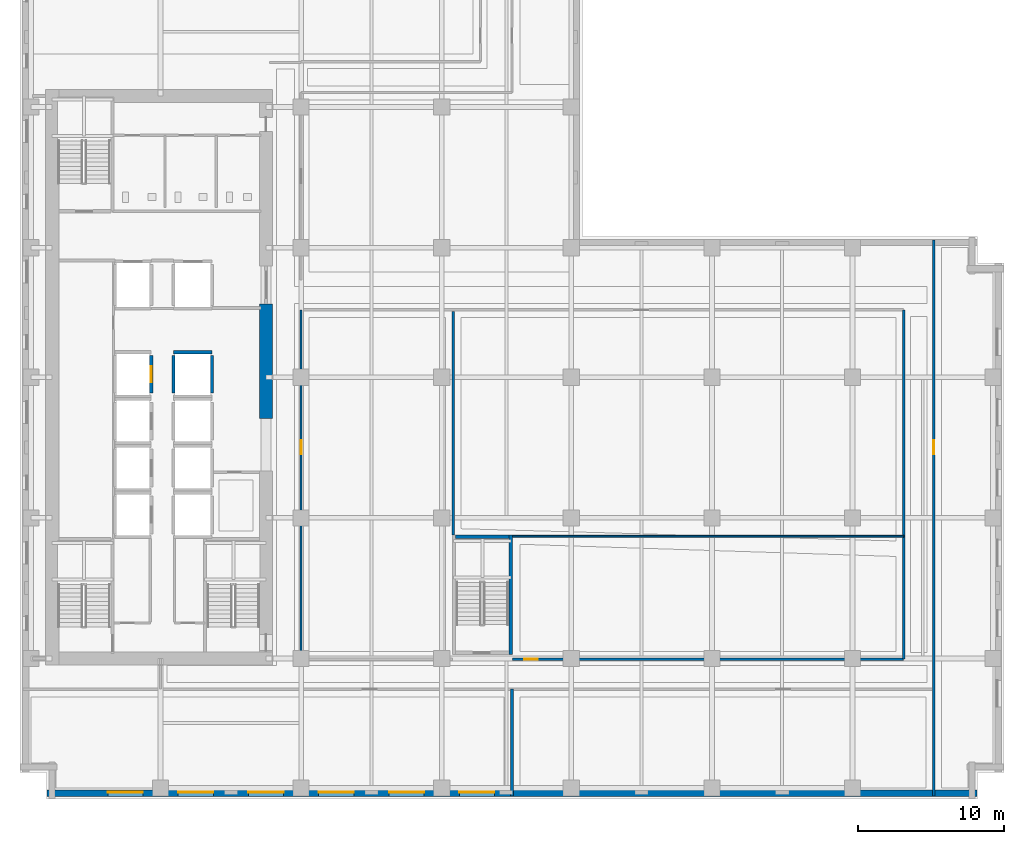
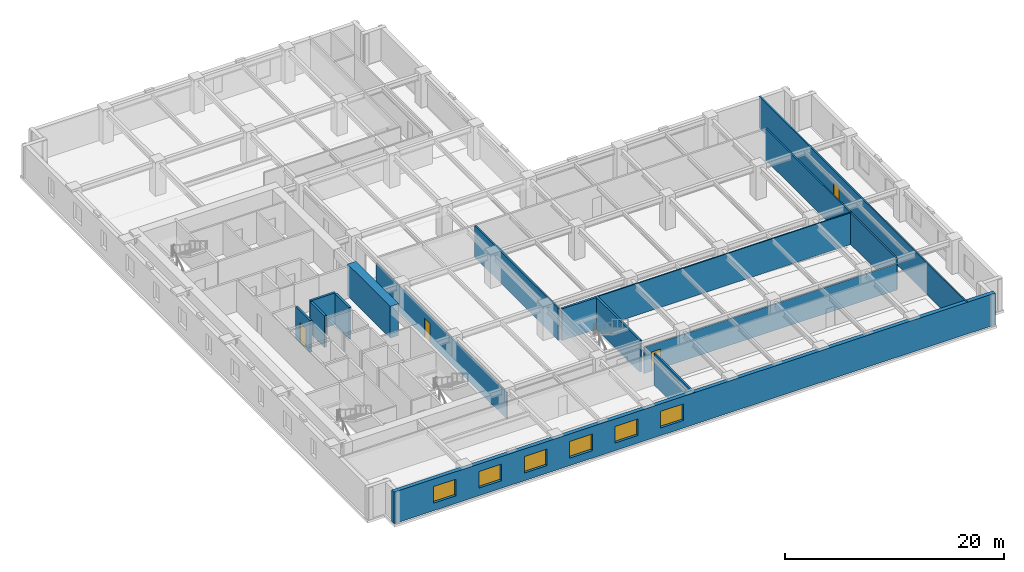
# One storey, part 5 of 15: 15 walls, 6 windows, 4 doors, 10 openings.
"""IFC4 building model written with IfcOpenShell, lengths in metres."""

from ifc_helpers import new_model, si_unit, direction, frame, frame_2d, origin, place, context, subcontext, project, spatial, rectangle, extrude, material, layer, layer_set, type_object, element, fill, save


model = new_model("IFC4")

# Units and contexts
model_context = context("Model", 3, precision=1e-05, world=origin(), true_north=direction((0.0, 1.0)))
body_context = subcontext(model_context, "Body", "Model", "MODEL_VIEW")
ifc_project = project(units=[si_unit("LENGTHUNIT", "METRE"), si_unit("AREAUNIT", "SQUARE_METRE"), si_unit("VOLUMEUNIT", "CUBIC_METRE"), si_unit("PLANEANGLEUNIT", "RADIAN"), si_unit("MASSUNIT", "GRAM", prefix="KILO")], contexts=[model_context])

# Site, building, storey
site_placement = place(None, origin())
site = spatial("IfcSite", under=ifc_project, at=site_placement, CompositionType="ELEMENT")
building_placement = place(site_placement, origin())
building = spatial("IfcBuilding", under=site, at=building_placement, Name="Norrvale University Quadrangle", CompositionType="ELEMENT")
storey_placement = place(building_placement, frame((0.0, 0.0, 88.800048828125)))
storey = spatial("IfcBuildingStorey", under=building, at=storey_placement, Name="L22", CompositionType="ELEMENT", Elevation=88.800048828125)

# Wall, openings, windows
ifc_material_1 = material(Name="Buff Norman Clay Brick Masonry", Category="masonry")
ifc_layer_1 = layer(ifc_material_1, 0.419921875, Name="Buff Norman Clay Brick Masonry")
ifc_layer_set_1 = layer_set([ifc_layer_1], Name="Buff Norman Clay Brick Masonry")
wall_type_1 = type_object("IfcWallType", Name="Wall Buff Brick 420", PredefinedType="SOLIDWALL", material=ifc_layer_set_1)
wall_1_placement = place(storey_placement, frame((1.840087890625, 0.389892578125, 0.0), z_axis=(0.0, 0.0, 1.0), x_axis=(1.0, 0.0, 0.0)))
wall_1 = element("IfcWall", 1, at=wall_1_placement, inside=storey, type_object=wall_type_1, Name="Exterior Brick Facade Wall L22-01.1", PredefinedType="SOLIDWALL", context=body_context, shape_type="SweptSolid", body=[
    extrude(rectangle(XDim=63.52001953125, YDim=0.419921875, at=frame_2d((31.760009765625, 0.0))), origin(), (0.0, 0.0, 1.0), 3.5400390625),
])
opening_1_placement = place(wall_1_placement, frame((4.159912109375, 0.0, 0.85009765625)))
opening_1 = element("IfcOpeningElement", 2, at=opening_1_placement, cuts=wall_1, Name="Opening W02", PredefinedType="OPENING", context=body_context, shape_type="SweptSolid", body=[
    extrude(rectangle(XDim=2.39990234375, YDim=1.85009765625, at=frame_2d((1.199951171875, 0.925048828125))), frame((0.0, 0.221923828125, 0.0), z_axis=(0.0, -1.0, 0.0), x_axis=(1.0, 0.0, 0.0)), (0.0, 0.0, 1.0), 0.44384765625),
])
opening_2_placement = place(wall_1_placement, frame((8.9599609375, 0.0, 0.85009765625)))
opening_2 = element("IfcOpeningElement", 3, at=opening_2_placement, cuts=wall_1, Name="Opening W02", PredefinedType="OPENING", context=body_context, shape_type="SweptSolid", body=[
    extrude(rectangle(XDim=2.39990234375, YDim=1.85009765625, at=frame_2d((1.199951171875, 0.925048828125))), frame((0.0, 0.221923828125, 0.0), z_axis=(0.0, -1.0, 0.0), x_axis=(1.0, 0.0, 0.0)), (0.0, 0.0, 1.0), 0.44384765625),
])
opening_3_placement = place(wall_1_placement, frame((13.760009765625, 0.0, 0.85009765625)))
opening_3 = element("IfcOpeningElement", 4, at=opening_3_placement, cuts=wall_1, Name="Opening W02", PredefinedType="OPENING", context=body_context, shape_type="SweptSolid", body=[
    extrude(rectangle(XDim=2.39990234375, YDim=1.85009765625, at=frame_2d((1.199951171875, 0.925048828125))), frame((0.0, 0.221923828125, 0.0), z_axis=(0.0, -1.0, 0.0), x_axis=(1.0, 0.0, 0.0)), (0.0, 0.0, 1.0), 0.44384765625),
])
opening_4_placement = place(wall_1_placement, frame((18.56005859375, 0.0, 0.85009765625)))
opening_4 = element("IfcOpeningElement", 5, at=opening_4_placement, cuts=wall_1, Name="Opening W02", PredefinedType="OPENING", context=body_context, shape_type="SweptSolid", body=[
    extrude(rectangle(XDim=2.39990234375, YDim=1.85009765625, at=frame_2d((1.199951171875, 0.925048828125))), frame((0.0, 0.221923828125, 0.0), z_axis=(0.0, -1.0, 0.0), x_axis=(1.0, 0.0, 0.0)), (0.0, 0.0, 1.0), 0.44384765625),
])
opening_5_placement = place(wall_1_placement, frame((23.360107421875, 0.0, 0.85009765625)))
opening_5 = element("IfcOpeningElement", 6, at=opening_5_placement, cuts=wall_1, Name="Opening W02", PredefinedType="OPENING", context=body_context, shape_type="SweptSolid", body=[
    extrude(rectangle(XDim=2.39990234375, YDim=1.85009765625, at=frame_2d((1.199951171875, 0.925048828125))), frame((0.0, 0.221923828125, 0.0), z_axis=(0.0, -1.0, 0.0), x_axis=(1.0, 0.0, 0.0)), (0.0, 0.0, 1.0), 0.44384765625),
])
opening_6_placement = place(wall_1_placement, frame((28.159912109375, 0.0, 0.85009765625)))
opening_6 = element("IfcOpeningElement", 7, at=opening_6_placement, cuts=wall_1, Name="Opening W02", PredefinedType="OPENING", context=body_context, shape_type="SweptSolid", body=[
    extrude(rectangle(XDim=2.39990234375, YDim=1.85009765625, at=frame_2d((1.199951171875, 0.925048828125))), frame((0.0, 0.221923828125, 0.0), z_axis=(0.0, -1.0, 0.0), x_axis=(1.0, 0.0, 0.0)), (0.0, 0.0, 1.0), 0.44384765625),
])
ifc_material_2 = material(Name="Triple Low-E Argon Glazing", Category="glass")
window_type = type_object("IfcWindowType", Name="Window Academic 2400x2300", PartitioningType="TRIPLE_PANEL_VERTICAL", PredefinedType="WINDOW", material=ifc_material_2)
window_1_placement = place(opening_1_placement, origin())
window_1 = element("IfcWindow", 8, at=window_1_placement, inside=storey, type_object=window_type, Name="Window Academic 2400x2300 WIN-L22-E01-1-01", OverallHeight=1.85009765625, OverallWidth=2.39990234375, PartitioningType="TRIPLE_PANEL_VERTICAL", PredefinedType="WINDOW", context=body_context, shape_type="SweptSolid", body=[
    extrude(rectangle(XDim=2.39990234375, YDim=1.85009765625, at=frame_2d((1.199951171875, 0.925048828125))), frame((0.0, 0.110107421875, 0.0), z_axis=(0.0, -1.0, 0.0), x_axis=(1.0, 0.0, 0.0)), (0.0, 0.0, 1.0), 0.06005859375),
])
fill(opening_1, window_1)
window_2_placement = place(opening_2_placement, origin())
window_2 = element("IfcWindow", 9, at=window_2_placement, inside=storey, type_object=window_type, Name="Window Academic 2400x2300 WIN-L22-E01-1-02", OverallHeight=1.85009765625, OverallWidth=2.39990234375, PartitioningType="TRIPLE_PANEL_VERTICAL", PredefinedType="WINDOW", context=body_context, shape_type="SweptSolid", body=[
    extrude(rectangle(XDim=2.39990234375, YDim=1.85009765625, at=frame_2d((1.199951171875, 0.925048828125))), frame((0.0, 0.110107421875, 0.0), z_axis=(0.0, -1.0, 0.0), x_axis=(1.0, 0.0, 0.0)), (0.0, 0.0, 1.0), 0.06005859375),
])
fill(opening_2, window_2)
window_3_placement = place(opening_3_placement, origin())
window_3 = element("IfcWindow", 10, at=window_3_placement, inside=storey, type_object=window_type, Name="Window Academic 2400x2300 WIN-L22-E01-1-03", OverallHeight=1.85009765625, OverallWidth=2.39990234375, PartitioningType="TRIPLE_PANEL_VERTICAL", PredefinedType="WINDOW", context=body_context, shape_type="SweptSolid", body=[
    extrude(rectangle(XDim=2.39990234375, YDim=1.85009765625, at=frame_2d((1.199951171875, 0.925048828125))), frame((0.0, 0.110107421875, 0.0), z_axis=(0.0, -1.0, 0.0), x_axis=(1.0, 0.0, 0.0)), (0.0, 0.0, 1.0), 0.06005859375),
])
fill(opening_3, window_3)
window_4_placement = place(opening_4_placement, origin())
window_4 = element("IfcWindow", 11, at=window_4_placement, inside=storey, type_object=window_type, Name="Window Academic 2400x2300 WIN-L22-E01-1-04", OverallHeight=1.85009765625, OverallWidth=2.39990234375, PartitioningType="TRIPLE_PANEL_VERTICAL", PredefinedType="WINDOW", context=body_context, shape_type="SweptSolid", body=[
    extrude(rectangle(XDim=2.39990234375, YDim=1.85009765625, at=frame_2d((1.199951171875, 0.925048828125))), frame((0.0, 0.110107421875, 0.0), z_axis=(0.0, -1.0, 0.0), x_axis=(1.0, 0.0, 0.0)), (0.0, 0.0, 1.0), 0.06005859375),
])
fill(opening_4, window_4)
window_5_placement = place(opening_5_placement, origin())
window_5 = element("IfcWindow", 12, at=window_5_placement, inside=storey, type_object=window_type, Name="Window Academic 2400x2300 WIN-L22-E01-1-05", OverallHeight=1.85009765625, OverallWidth=2.39990234375, PartitioningType="TRIPLE_PANEL_VERTICAL", PredefinedType="WINDOW", context=body_context, shape_type="SweptSolid", body=[
    extrude(rectangle(XDim=2.39990234375, YDim=1.85009765625, at=frame_2d((1.199951171875, 0.925048828125))), frame((0.0, 0.110107421875, 0.0), z_axis=(0.0, -1.0, 0.0), x_axis=(1.0, 0.0, 0.0)), (0.0, 0.0, 1.0), 0.06005859375),
])
fill(opening_5, window_5)
window_6_placement = place(opening_6_placement, origin())
window_6 = element("IfcWindow", 13, at=window_6_placement, inside=storey, type_object=window_type, Name="Window Academic 2400x2300 WIN-L22-E01-1-06", OverallHeight=1.85009765625, OverallWidth=2.39990234375, PartitioningType="TRIPLE_PANEL_VERTICAL", PredefinedType="WINDOW", context=body_context, shape_type="SweptSolid", body=[
    extrude(rectangle(XDim=2.39990234375, YDim=1.85009765625, at=frame_2d((1.199951171875, 0.925048828125))), frame((0.0, 0.110107421875, 0.0), z_axis=(0.0, -1.0, 0.0), x_axis=(1.0, 0.0, 0.0)), (0.0, 0.0, 1.0), 0.06005859375),
])
fill(opening_6, window_6)

# Walls
ifc_material_3 = material(Name="Concrete C80/95", Category="concrete")
ifc_layer_2 = layer(ifc_material_3, 0.89990234375, Name="Concrete C80/95")
ifc_layer_set_2 = layer_set([ifc_layer_2], Name="Concrete C80/95")
wall_type_2 = type_object("IfcWallType", Name="Wall Core 900", PredefinedType="SHEAR", material=ifc_layer_set_2)
wall_2_placement = place(storey_placement, frame((16.800048828125, 26.0, 0.0), z_axis=(0.0, 0.0, 1.0), x_axis=(0.0, 1.0, 0.0)))
element("IfcWall", 14, at=wall_2_placement, inside=storey, type_object=wall_type_2, Name="Tower Core Shear Wall L22-E2", PredefinedType="SHEAR", context=body_context, shape_type="SweptSolid", body=[
    extrude(rectangle(XDim=7.800048828125, YDim=0.89990234375, at=frame_2d((3.89990234375, 0.0))), origin(), (0.0, 0.0, 1.0), 3.5400390625),
])
ifc_material_4 = material(Name="Standard Academic Gypsum Partition")
ifc_layer_3 = layer(ifc_material_4, 0.125, Name="Standard Academic Gypsum Partition")
ifc_layer_set_3 = layer_set([ifc_layer_3], Name="Standard Academic Gypsum Partition")
wall_type_3 = type_object("IfcWallType", Name="Wall Gypsum Academic 125", PredefinedType="PARTITIONING", material=ifc_layer_set_3)
wall_3_placement = place(storey_placement, frame((33.6201171875, 17.93994140625, 0.0), z_axis=(0.0, 0.0, 1.0), x_axis=(1.0, 0.0, 0.0)))
element("IfcWall", 15, at=wall_3_placement, inside=storey, type_object=wall_type_3, Name="Interior Partition WL-L22-ISLH", PredefinedType="PARTITIONING", context=body_context, shape_type="SweptSolid", body=[
    extrude(rectangle(XDim=26.72998046875, YDim=0.125, at=frame_2d((13.364990234375, 0.0))), origin(), (0.0, 0.0, 1.0), 3.5400390625),
])

# Wall, opening, door
ifc_material_5 = material(Name="Fire-Rated Gypsum Stud Partition")
ifc_layer_4 = layer(ifc_material_5, 0.14990234375, Name="Fire-Rated Gypsum Stud Partition")
ifc_layer_set_4 = layer_set([ifc_layer_4], Name="Fire-Rated Gypsum Stud Partition")
wall_type_4 = type_object("IfcWallType", Name="Wall Gypsum Corridor 150", PredefinedType="PARTITIONING", material=ifc_layer_set_4)
wall_4_placement = place(storey_placement, frame((62.39990234375, 0.219970703125, 0.0), z_axis=(0.0, 0.0, 1.0), x_axis=(0.0, 1.0, 0.0)))
wall_4 = element("IfcWall", 16, at=wall_4_placement, inside=storey, type_object=wall_type_4, Name="Interior Partition WL-L22-ECW", PredefinedType="PARTITIONING", context=body_context, shape_type="SweptSolid", body=[
    extrude(rectangle(XDim=37.9599609375, YDim=0.14990234375, at=frame_2d((18.97998046875, 0.0))), origin(), (0.0, 0.0, 1.0), 3.5400390625),
])
opening_7_placement = place(wall_4_placement, frame((23.330078125, 0.0, 0.0)))
opening_7 = element("IfcOpeningElement", 17, at=opening_7_placement, cuts=wall_4, Name="Opening D07", PredefinedType="OPENING", context=body_context, shape_type="SweptSolid", body=[
    extrude(rectangle(XDim=0.949951171875, YDim=2.14990234375, at=frame_2d((0.47509765625, 1.074951171875))), frame((0.0, 0.0869140625, 0.0), z_axis=(0.0, -1.0, 0.0), x_axis=(1.0, 0.0, 0.0)), (0.0, 0.0, 1.0), 0.173828125),
])
ifc_material_6 = material(Name="Solid-Core Maple Door", Category="wood")
door_type_1 = type_object("IfcDoorType", Name="Door Office 950x2150", OperationType="NOTDEFINED", PredefinedType="DOOR", material=ifc_material_6)
door_1_placement = place(opening_7_placement, origin())
door_1 = element("IfcDoor", 18, at=door_1_placement, inside=storey, type_object=door_type_1, Name="Door Office 950x2150 DR-L22-E01", OperationType="SINGLE_SWING_RIGHT", OverallHeight=2.14990234375, OverallWidth=0.949951171875, PredefinedType="DOOR", context=body_context, shape_type="SweptSolid", body=[
    extrude(rectangle(XDim=0.949951171875, YDim=2.14990234375, at=frame_2d((0.47509765625, 1.074951171875))), frame((0.0, 0.02490234375, 0.0), z_axis=(0.0, -1.0, 0.0), x_axis=(1.0, 0.0, 0.0)), (0.0, 0.0, 1.0), 0.050048828125),
])
fill(opening_7, door_1)

wall_5_placement = place(storey_placement, frame((19.199951171875, 9.550048828125, 0.0), z_axis=(0.0, 0.0, 1.0), x_axis=(0.0, 1.0, 0.0)))
wall_5 = element("IfcWall", 19, at=wall_5_placement, inside=storey, type_object=wall_type_4, Name="Interior Partition WL-L22-ISLW", PredefinedType="PARTITIONING", context=body_context, shape_type="SweptSolid", body=[
    extrude(rectangle(XDim=23.849853515625, YDim=0.14990234375, at=frame_2d((11.9248046875, 0.0))), origin(), (0.0, 0.0, 1.0), 2.924072265625),
])
opening_8_placement = place(wall_5_placement, frame((14.0, 0.0, 0.0)))
opening_8 = element("IfcOpeningElement", 20, at=opening_8_placement, cuts=wall_5, Name="Opening D07", PredefinedType="OPENING", context=body_context, shape_type="SweptSolid", body=[
    extrude(rectangle(XDim=0.949951171875, YDim=2.14990234375, at=frame_2d((0.47509765625, 1.074951171875))), frame((0.0, 0.0869140625, 0.0), z_axis=(0.0, -1.0, 0.0), x_axis=(1.0, 0.0, 0.0)), (0.0, 0.0, 1.0), 0.173828125),
])
door_2_placement = place(opening_8_placement, origin())
door_2 = element("IfcDoor", 21, at=door_2_placement, inside=storey, type_object=door_type_1, Name="Door Office 950x2150 DR-L22-IW1", OperationType="SINGLE_SWING_LEFT", OverallHeight=2.14990234375, OverallWidth=0.949951171875, PredefinedType="DOOR", context=body_context, shape_type="SweptSolid", body=[
    extrude(rectangle(XDim=0.949951171875, YDim=2.14990234375, at=frame_2d((0.47509765625, 1.074951171875))), frame((0.0, 0.02490234375, 0.0), z_axis=(0.0, -1.0, 0.0), x_axis=(1.0, 0.0, 0.0)), (0.0, 0.0, 1.0), 0.050048828125),
])
fill(opening_8, door_2)

wall_6_placement = place(storey_placement, frame((33.6201171875, 9.550048828125, 0.0), z_axis=(0.0, 0.0, 1.0), x_axis=(1.0, 0.0, 0.0)))
wall_6 = element("IfcWall", 22, at=wall_6_placement, inside=storey, type_object=wall_type_4, Name="Interior Partition WL-L22-ISLS2", PredefinedType="PARTITIONING", context=body_context, shape_type="SweptSolid", body=[
    extrude(rectangle(XDim=26.72998046875, YDim=0.14990234375, at=frame_2d((13.364990234375, 0.0))), origin(), (0.0, 0.0, 1.0), 2.924072265625),
])
opening_9_placement = place(wall_6_placement, frame((0.800048828125, 0.0, 0.0)))
opening_9 = element("IfcOpeningElement", 23, at=opening_9_placement, cuts=wall_6, Name="Opening D07", PredefinedType="OPENING", context=body_context, shape_type="SweptSolid", body=[
    extrude(rectangle(XDim=0.949951171875, YDim=2.14990234375, at=frame_2d((0.47509765625, 1.074951171875))), frame((0.0, 0.0869140625, 0.0), z_axis=(0.0, -1.0, 0.0), x_axis=(1.0, 0.0, 0.0)), (0.0, 0.0, 1.0), 0.173828125),
])
door_3_placement = place(opening_9_placement, origin())
door_3 = element("IfcDoor", 24, at=door_3_placement, inside=storey, type_object=door_type_1, Name="Door Office 950x2150 DR-L22-ISE", OperationType="SINGLE_SWING_LEFT", OverallHeight=2.14990234375, OverallWidth=0.949951171875, PredefinedType="DOOR", context=body_context, shape_type="SweptSolid", body=[
    extrude(rectangle(XDim=0.949951171875, YDim=2.14990234375, at=frame_2d((0.47509765625, 1.074951171875))), frame((0.0, 0.02490234375, 0.0), z_axis=(0.0, -1.0, 0.0), x_axis=(1.0, 0.0, 0.0)), (0.0, 0.0, 1.0), 0.050048828125),
])
fill(opening_9, door_3)

# Walls
wall_7_placement = place(storey_placement, frame((60.35009765625, 9.550048828125, 0.0), z_axis=(0.0, 0.0, 1.0), x_axis=(0.0, 1.0, 0.0)))
element("IfcWall", 25, at=wall_7_placement, inside=storey, type_object=wall_type_4, Name="Interior Partition WL-L22-ISLE", PredefinedType="PARTITIONING", context=body_context, shape_type="SweptSolid", body=[
    extrude(rectangle(XDim=23.849853515625, YDim=0.14990234375, at=frame_2d((11.9248046875, 0.0))), origin(), (0.0, 0.0, 1.0), 3.5400390625),
])
ifc_material_7 = material(Name="Acoustic Double-Stud Gypsum Partition")
ifc_layer_5 = layer(ifc_material_7, 0.179931640625, Name="Acoustic Double-Stud Gypsum Partition")
ifc_layer_set_5 = layer_set([ifc_layer_5], Name="Acoustic Double-Stud Gypsum Partition")
wall_type_5 = type_object("IfcWallType", Name="Wall Gypsum Lecture 180", PredefinedType="PARTITIONING", material=ifc_layer_set_5)
wall_8_placement = place(storey_placement, frame((33.60009765625, 0.219970703125, 0.0), z_axis=(0.0, 0.0, 1.0), x_axis=(0.0, 1.0, 0.0)))
element("IfcWall", 26, at=wall_8_placement, inside=storey, type_object=wall_type_5, Name="Interior Partition WL-L22-SP01", PredefinedType="PARTITIONING", context=body_context, shape_type="SweptSolid", body=[
    extrude(rectangle(XDim=7.280029296875, YDim=0.179931640625, at=frame_2d((3.64013671875, 0.0))), origin(), (0.0, 0.0, 1.0), 3.5400390625),
])
wall_9_placement = place(storey_placement, frame((29.580078125, 18.02490234375, 0.0), z_axis=(0.0, 0.0, 1.0), x_axis=(0.0, 1.0, 0.0)))
element("IfcWall", 27, at=wall_9_placement, inside=storey, type_object=wall_type_5, Name="Interior Partition WL-L22-ISLD", PredefinedType="PARTITIONING", context=body_context, shape_type="SweptSolid", body=[
    extrude(rectangle(XDim=15.280029296875, YDim=0.179931640625, at=frame_2d((7.64013671875, 0.0))), origin(), (0.0, 0.0, 1.0), 3.5400390625),
])
ifc_material_8 = material(Name="Concrete Blockwork 20 MPa Fire Shaft", Category="masonry")
ifc_layer_6 = layer(ifc_material_8, 0.219970703125, Name="Concrete Blockwork 20 MPa Fire Shaft")
ifc_layer_set_6 = layer_set([ifc_layer_6], Name="Concrete Blockwork 20 MPa Fire Shaft")
wall_type_6 = type_object("IfcWallType", Name="Wall Shaft 220", PredefinedType="SOLIDWALL", material=ifc_layer_set_6)
wall_10_placement = place(storey_placement, frame((33.510009765625, 9.8798828125, 0.0), z_axis=(0.0, 0.0, 1.0), x_axis=(0.0, 1.0, 0.0)))
element("IfcWall", 28, at=wall_10_placement, inside=storey, type_object=wall_type_6, Name="Stair ST-04 East Shaft Wall L22", PredefinedType="SOLIDWALL", context=body_context, shape_type="SweptSolid", body=[
    extrude(rectangle(XDim=8.14013671875, YDim=0.219970703125, at=frame_2d((4.070068359375, 0.0))), origin(), (0.0, 0.0, 1.0), 3.5400390625),
])
wall_11_placement = place(storey_placement, frame((29.75, 17.909912109375, 0.0), z_axis=(0.0, 0.0, 1.0), x_axis=(1.0, 0.0, 0.0)))
element("IfcWall", 29, at=wall_11_placement, inside=storey, type_object=wall_type_6, Name="Stair ST-04 North Shaft Wall L22", PredefinedType="SOLIDWALL", context=body_context, shape_type="SweptSolid", body=[
    extrude(rectangle(XDim=3.64990234375, YDim=0.219970703125, at=frame_2d((1.824951171875, 0.0))), origin(), (0.0, 0.0, 1.0), 3.5400390625),
])

# Wall, opening, door
wall_12_placement = place(storey_placement, frame((8.9599609375, 27.7099609375, 0.0), z_axis=(0.0, 0.0, 1.0), x_axis=(0.0, 1.0, 0.0)))
wall_12 = element("IfcWall", 30, at=wall_12_placement, inside=storey, type_object=wall_type_6, Name="Hoistway PL-04 East Wall L22", PredefinedType="SOLIDWALL", context=body_context, shape_type="SweptSolid", body=[
    extrude(rectangle(XDim=2.580078125, YDim=0.219970703125, at=frame_2d((1.2900390625, 0.0))), origin(), (0.0, 0.0, 1.0), 3.5400390625),
])
opening_10_placement = place(wall_12_placement, frame((0.739990234375, 0.0, 0.0)))
opening_10 = element("IfcOpeningElement", 31, at=opening_10_placement, cuts=wall_12, Name="Opening LD1", PredefinedType="OPENING", context=body_context, shape_type="SweptSolid", body=[
    extrude(rectangle(XDim=1.10009765625, YDim=2.199951171875, at=frame_2d((0.550048828125, 1.10009765625))), frame((0.0, 0.1220703125, 0.0), z_axis=(0.0, -1.0, 0.0), x_axis=(1.0, 0.0, 0.0)), (0.0, 0.0, 1.0), 0.243896484375),
])
ifc_material_9 = material(Name="Stainless Steel 316L Lift Landing Door", Category="steel")
door_type_2 = type_object("IfcDoorType", Name="Door Lift Landing 1100x2200", OperationType="DOUBLE_DOOR_SLIDING", PredefinedType="DOOR", material=ifc_material_9)
door_4_placement = place(opening_10_placement, origin())
door_4 = element("IfcDoor", 32, at=door_4_placement, inside=storey, type_object=door_type_2, Name="Elevator Landing Door DR-L22-PL-04", OperationType="DOUBLE_DOOR_SLIDING", OverallHeight=2.199951171875, OverallWidth=1.10009765625, PredefinedType="DOOR", context=body_context, shape_type="SweptSolid", body=[
    extrude(rectangle(XDim=1.10009765625, YDim=2.199951171875, at=frame_2d((0.550048828125, 1.10009765625))), frame((0.0, 0.02490234375, 0.0), z_axis=(0.0, -1.0, 0.0), x_axis=(1.0, 0.0, 0.0)), (0.0, 0.0, 1.0), 0.050048828125),
])
fill(opening_10, door_4)

# Walls
for number, where, z_axis, x_axis, name in (
    (33, (10.489990234375, 27.7099609375, 0.0), (0.0, 0.0, 1.0), (0.0, 1.0, 0.0), "Hoistway PL-08 West Wall L22"),
    (34, (13.110107421875, 27.7099609375, 0.0), (0.0, 0.0, 1.0), (0.0, 1.0, 0.0), "Hoistway PL-08 East Wall L22"),
):
    element("IfcWall", number, at=place(storey_placement, frame(where, z_axis=z_axis, x_axis=x_axis)), inside=storey, type_object=wall_type_6, Name=name, PredefinedType="SOLIDWALL", context=body_context, shape_type="SweptSolid", body=[
        extrude(rectangle(XDim=2.580078125, YDim=0.219970703125, at=frame_2d((1.2900390625, 0.0))), origin(), (0.0, 0.0, 1.0), 3.5400390625),
    ])
wall_13_placement = place(storey_placement, frame((10.489990234375, 30.510009765625, 0.0), z_axis=(0.0, 0.0, 1.0), x_axis=(1.0, 0.0, 0.0)))
element("IfcWall", 35, at=wall_13_placement, inside=storey, type_object=wall_type_6, Name="Hoistway PL-08 North Wall L22", PredefinedType="SOLIDWALL", context=body_context, shape_type="SweptSolid", body=[
    extrude(rectangle(XDim=2.6201171875, YDim=0.219970703125, at=frame_2d((1.31005859375, 0.0))), origin(), (0.0, 0.0, 1.0), 3.5400390625),
])

save(model, "model.ifc")
